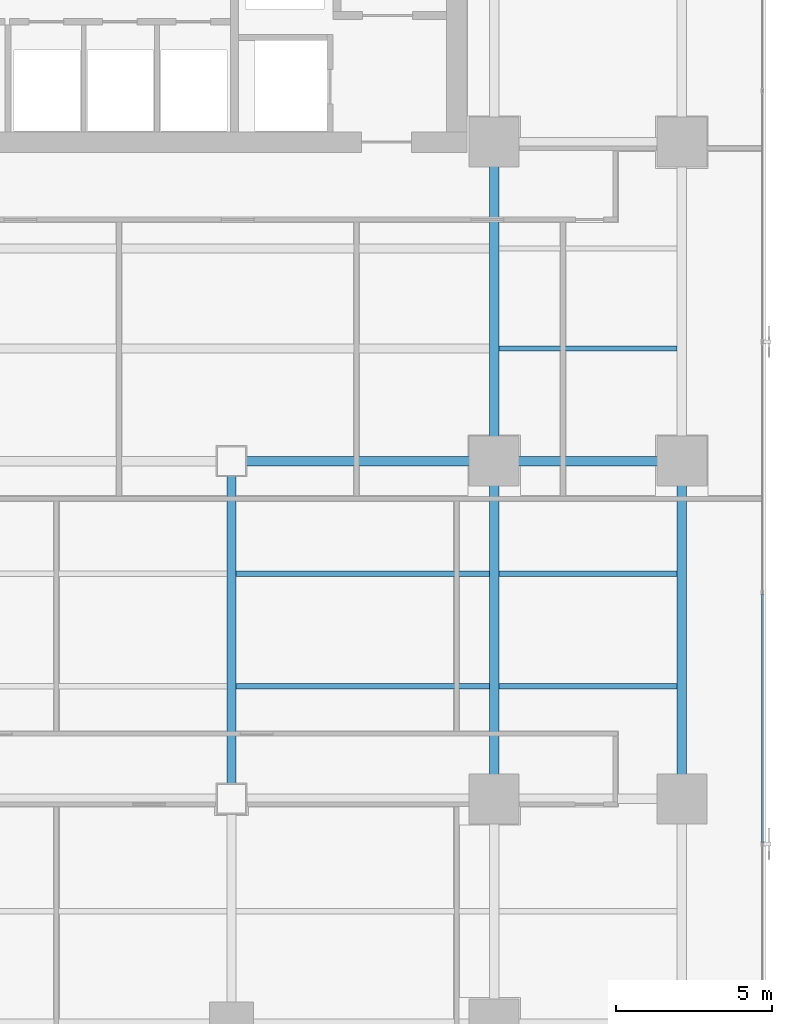
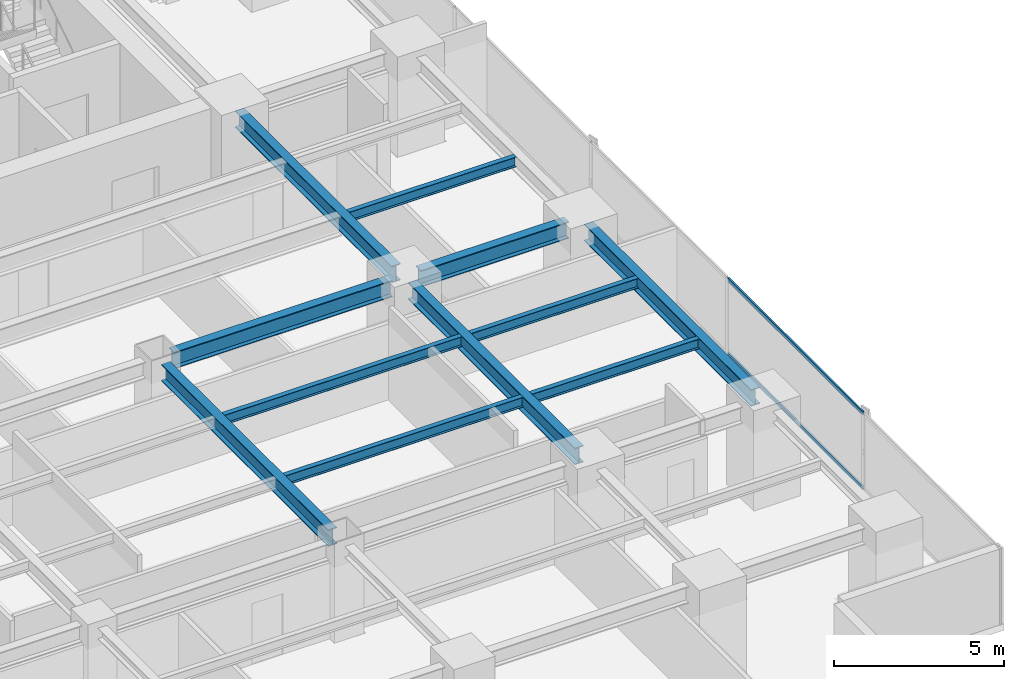
# One storey, part 15 of 34: 11 beams, 2 members, 1 element without a shape of its own.
"""IFC4 building model written with IfcOpenShell, lengths in metres."""

from ifc_helpers import new_model, si_unit, direction, frame, origin, origin_2d, place, context, subcontext, project, spatial, hollow_rectangle, i_section, extrude, source, transform, mapped, material, layer, layer_set, material_profile, profile_set, type_object, element, aggregate, save


model = new_model("IFC4")

# Units and contexts
model_context = context("Model", 3, precision=1e-05, world=origin(), true_north=direction((0.0, 1.0)))
body_context = subcontext(model_context, "Body", "Model", "MODEL_VIEW")
ifc_project = project(units=[si_unit("LENGTHUNIT", "METRE"), si_unit("AREAUNIT", "SQUARE_METRE"), si_unit("VOLUMEUNIT", "CUBIC_METRE"), si_unit("PLANEANGLEUNIT", "RADIAN"), si_unit("MASSUNIT", "GRAM", prefix="KILO")], contexts=[model_context])

# Site, building, storey
site_placement = place(None, origin())
site = spatial("IfcSite", under=ifc_project, at=site_placement, CompositionType="ELEMENT")
building_placement = place(site_placement, origin())
building = spatial("IfcBuilding", under=site, at=building_placement, Name="Sumidabori Civic Tower", CompositionType="ELEMENT")
storey_placement = place(building_placement, frame((0.0, 0.0, 99.199951171875)))
storey = spatial("IfcBuildingStorey", under=building, at=storey_placement, Name="L25", CompositionType="ELEMENT", Elevation=99.199951171875)

# Beams
ifc_material_1 = material(Name="Steel SN490", Category="steel")
ifc_material_profile_1 = material_profile(ifc_material_1, i_section(OverallWidth=0.300048828125, OverallDepth=0.60009765625, WebThickness=0.015380859375, FlangeThickness=0.030029296875, at=origin_2d()), Name="HE 600 B")
ifc_profile_set_1 = profile_set([ifc_material_profile_1], Name="Steel SN490")
beam_type_1 = type_object("IfcBeamType", Name="BM-GIRD-600", PredefinedType="BEAM", material=ifc_profile_set_1)
shared_shape_1 = source(origin(), body_context, "Body", "SweptSolid", [
    extrude(i_section(OverallWidth=0.300048828125, OverallDepth=0.60009765625, WebThickness=0.015380859375, FlangeThickness=0.030029296875, at=origin_2d()), origin(), (0.0, 0.0, 1.0), 5.0400390625),
])
beam_1_placement = place(storey_placement, frame((17.280029296875, 0.0, 3.06005859375), z_axis=(1.0, 0.0, 0.0), x_axis=(0.0, 1.0, 0.0)))
element("IfcBeam", 1, at=beam_1_placement, inside=storey, type_object=beam_type_1, Name="Primary Girder L25 GX-18", PredefinedType="BEAM", context=body_context, shape_type="MappedRepresentation", body=[
    mapped(shared_shape_1, transform((0.0, 0.0, 0.0), x_axis=(1.0, 0.0, 0.0), y_axis=(0.0, 1.0, 0.0), z_axis=(0.0, 0.0, 1.0), scale=1.0)),
])
shared_shape_2 = source(origin(), body_context, "Body", "SweptSolid", [
    extrude(i_section(OverallWidth=0.300048828125, OverallDepth=0.60009765625, WebThickness=0.015380859375, FlangeThickness=0.030029296875, at=origin_2d()), origin(), (0.0, 0.0, 1.0), 7.440185546875),
])
beam_2_placement = place(storey_placement, frame((8.8798828125, 0.0, 3.06005859375), z_axis=(1.0, 0.0, 0.0), x_axis=(0.0, 1.0, 0.0)))
element("IfcBeam", 2, at=beam_2_placement, inside=storey, type_object=beam_type_1, Name="Primary Girder L25 GX-17", PredefinedType="BEAM", context=body_context, shape_type="MappedRepresentation", body=[
    mapped(shared_shape_2, transform((0.0, 0.0, 0.0), x_axis=(1.0, 0.0, 0.0), y_axis=(0.0, 1.0, 0.0), z_axis=(0.0, 0.0, 1.0), scale=1.0)),
])
shared_shape_3 = source(origin(), body_context, "Body", "SweptSolid", [
    extrude(i_section(OverallWidth=0.300048828125, OverallDepth=0.60009765625, WebThickness=0.015380859375, FlangeThickness=0.030029296875, at=origin_2d()), origin(), (0.0, 0.0, 1.0), 9.840087890625),
])
for number, where, z_axis, x_axis, name in (
    (3, (8.39990234375, -10.320068359375, 3.06005859375), (0.0, 1.0, 0.0), (-1.0, 0.0, 0.0), "Primary Girder L25 GY-34"),
    (4, (16.800048828125, -10.320068359375, 3.06005859375), (0.0, 1.0, 0.0), (-1.0, 0.0, 0.0), "Primary Girder L25 GY-36"),
    (5, (22.800048828125, -10.320068359375, 3.06005859375), (0.0, 1.0, 0.0), (-1.0, 0.0, 0.0), "Primary Girder L25 GY-40"),
):
    element("IfcBeam", number, at=place(storey_placement, frame(where, z_axis=z_axis, x_axis=x_axis)), inside=storey, type_object=beam_type_1, Name=name, PredefinedType="BEAM", context=body_context, shape_type="MappedRepresentation", body=[
        mapped(shared_shape_3, transform((0.0, 0.0, 0.0), x_axis=(1.0, 0.0, 0.0), y_axis=(0.0, 1.0, 0.0), z_axis=(0.0, 0.0, 1.0), scale=1.0)),
    ])
shared_shape_4 = source(origin(), body_context, "Body", "SweptSolid", [
    extrude(i_section(OverallWidth=0.300048828125, OverallDepth=0.60009765625, WebThickness=0.015380859375, FlangeThickness=0.030029296875, at=origin_2d()), origin(), (0.0, 0.0, 1.0), 9.239990234375),
])
beam_3_placement = place(storey_placement, frame((16.800048828125, 0.47998046875, 3.06005859375), z_axis=(0.0, 1.0, 0.0), x_axis=(-1.0, 0.0, 0.0)))
element("IfcBeam", 6, at=beam_3_placement, inside=storey, type_object=beam_type_1, Name="Primary Girder L25 GY-37", PredefinedType="BEAM", context=body_context, shape_type="MappedRepresentation", body=[
    mapped(shared_shape_4, transform((0.0, 0.0, 0.0), x_axis=(1.0, 0.0, 0.0), y_axis=(0.0, 1.0, 0.0), z_axis=(0.0, 0.0, 1.0), scale=1.0)),
])
ifc_material_profile_2 = material_profile(ifc_material_1, i_section(OverallWidth=0.169921875, OverallDepth=0.360107421875, WebThickness=0.008056640625, FlangeThickness=0.0126953125, at=origin_2d()), Name="IPE 360")
ifc_profile_set_2 = profile_set([ifc_material_profile_2], Name="Steel SN490")
beam_type_2 = type_object("IfcBeamType", Name="BM-JST-360", PredefinedType="JOIST", material=ifc_profile_set_2)
shared_shape_5 = source(origin(), body_context, "Body", "SweptSolid", [
    extrude(i_section(OverallWidth=0.169921875, OverallDepth=0.360107421875, WebThickness=0.008056640625, FlangeThickness=0.0126953125, at=origin_2d()), origin(), (0.0, 0.0, 1.0), 5.699951171875),
])
for number, where, z_axis, x_axis, name in (
    (7, (16.949951171875, -7.199951171875, 3.179931640625), (1.0, 0.0, 0.0), (0.0, 1.0, 0.0), "Outer Bay Floor Joist L25 JSTO-44"),
    (8, (16.949951171875, -3.60009765625, 3.179931640625), (1.0, 0.0, 0.0), (0.0, 1.0, 0.0), "Outer Bay Floor Joist L25 JSTO-46"),
    (9, (16.949951171875, 3.60009765625, 3.179931640625), (1.0, 0.0, 0.0), (0.0, 1.0, 0.0), "Outer Bay Floor Joist L25 JSTO-48"),
):
    element("IfcBeam", number, at=place(storey_placement, frame(where, z_axis=z_axis, x_axis=x_axis)), inside=storey, type_object=beam_type_2, Name=name, PredefinedType="JOIST", context=body_context, shape_type="MappedRepresentation", body=[
        mapped(shared_shape_5, transform((0.0, 0.0, 0.0), x_axis=(1.0, 0.0, 0.0), y_axis=(0.0, 1.0, 0.0), z_axis=(0.0, 0.0, 1.0), scale=1.0)),
    ])
shared_shape_6 = source(origin(), body_context, "Body", "SweptSolid", [
    extrude(i_section(OverallWidth=0.169921875, OverallDepth=0.360107421875, WebThickness=0.008056640625, FlangeThickness=0.0126953125, at=origin_2d()), origin(), (0.0, 0.0, 1.0), 8.099853515625),
])
for number, where, z_axis, x_axis, name in (
    (10, (8.550048828125, -7.199951171875, 3.179931640625), (1.0, 0.0, 0.0), (0.0, 1.0, 0.0), "South Bay Floor Joist L25 JSTS-62"),
    (11, (8.550048828125, -3.60009765625, 3.179931640625), (1.0, 0.0, 0.0), (0.0, 1.0, 0.0), "South Bay Floor Joist L25 JSTS-66"),
):
    element("IfcBeam", number, at=place(storey_placement, frame(where, z_axis=z_axis, x_axis=x_axis)), inside=storey, type_object=beam_type_2, Name=name, PredefinedType="JOIST", context=body_context, shape_type="MappedRepresentation", body=[
        mapped(shared_shape_6, transform((0.0, 0.0, 0.0), x_axis=(1.0, 0.0, 0.0), y_axis=(0.0, 1.0, 0.0), z_axis=(0.0, 0.0, 1.0), scale=1.0)),
    ])

# Curtain wall, members
ifc_material_2 = material(Name="Anodised Bronze Aluminium AW-6063-T6", Category="aluminium")
ifc_layer = layer(ifc_material_2, 0.179931640625, Name="Anodised Bronze Aluminium AW-6063-T6")
ifc_layer_set = layer_set([ifc_layer], Name="Anodised Bronze Aluminium AW-6063-T6")
curtain_wall_type = type_object("IfcCurtainWallType", Name="CW-SYS-3", PredefinedType="NOTDEFINED", material=ifc_layer_set)
curtain_wall_placement = place(storey_placement, origin())
curtain_wall = element("IfcCurtainWall", 12, at=curtain_wall_placement, inside=storey, type_object=curtain_wall_type, Name="Curtain Wall CW:L25:R04", PredefinedType="NOTDEFINED")
ifc_material_profile_3 = material_profile(ifc_material_2, hollow_rectangle(XDim=0.06005859375, YDim=0.1298828125, WallThickness=0.0048828125, at=origin_2d()), Name="ALU TRANSOM 130x60")
ifc_profile_set_3 = profile_set([ifc_material_profile_3], Name="Anodised Bronze Aluminium AW-6063-T6")
member_type = type_object("IfcMemberType", Name="CW-TRN-130", PredefinedType="USERDEFINED", material=ifc_profile_set_3)
shared_shape_7 = source(origin(), body_context, "Body", "SweptSolid", [
    extrude(hollow_rectangle(XDim=0.06005859375, YDim=0.1298828125, WallThickness=0.0048828125, at=origin_2d()), origin(), (0.0, 0.0, 1.0), 7.962890625),
])
member_1_placement = place(storey_placement, frame((25.3798828125, -12.20947265625, 0.030029296875), z_axis=(0.0, 1.0, 0.0), x_axis=(-1.0, 0.0, 0.0)))
member_1 = element("IfcMember", 13, at=member_1_placement, type_object=member_type, Name="CW-3 transom 2.1", ObjectType="TRANSOM", PredefinedType="USERDEFINED", context=body_context, shape_type="MappedRepresentation", body=[
    mapped(shared_shape_7, transform((0.0, 0.0, 0.0), x_axis=(1.0, 0.0, 0.0), y_axis=(0.0, 1.0, 0.0), z_axis=(0.0, 0.0, 1.0), scale=1.0)),
])
member_2_placement = place(storey_placement, frame((25.3798828125, -12.20947265625, 2.7099609375), z_axis=(0.0, 1.0, 0.0), x_axis=(-1.0, 0.0, 0.0)))
member_2 = element("IfcMember", 14, at=member_2_placement, type_object=member_type, Name="CW-3 transom 2.2", ObjectType="TRANSOM", PredefinedType="USERDEFINED", context=body_context, shape_type="MappedRepresentation", body=[
    mapped(shared_shape_7, transform((0.0, 0.0, 0.0), x_axis=(1.0, 0.0, 0.0), y_axis=(0.0, 1.0, 0.0), z_axis=(0.0, 0.0, 1.0), scale=1.0)),
])
aggregate(curtain_wall, [member_1, member_2])

save(model, "model.ifc")
